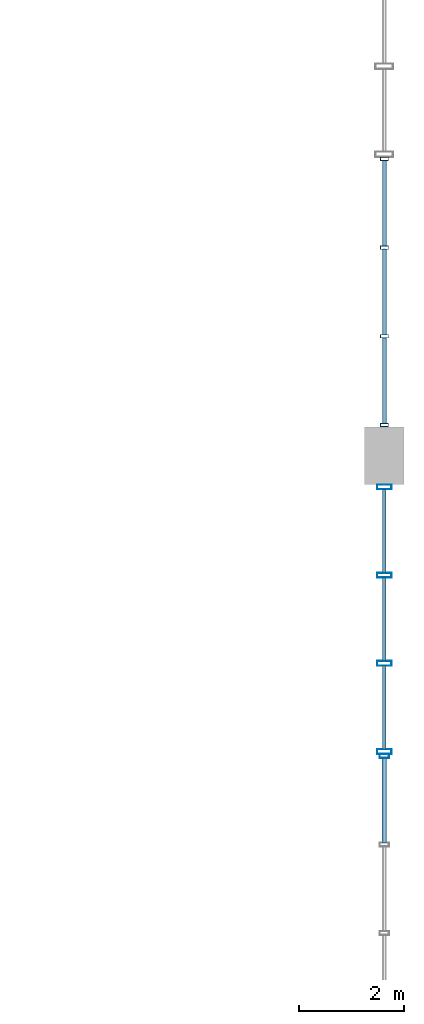
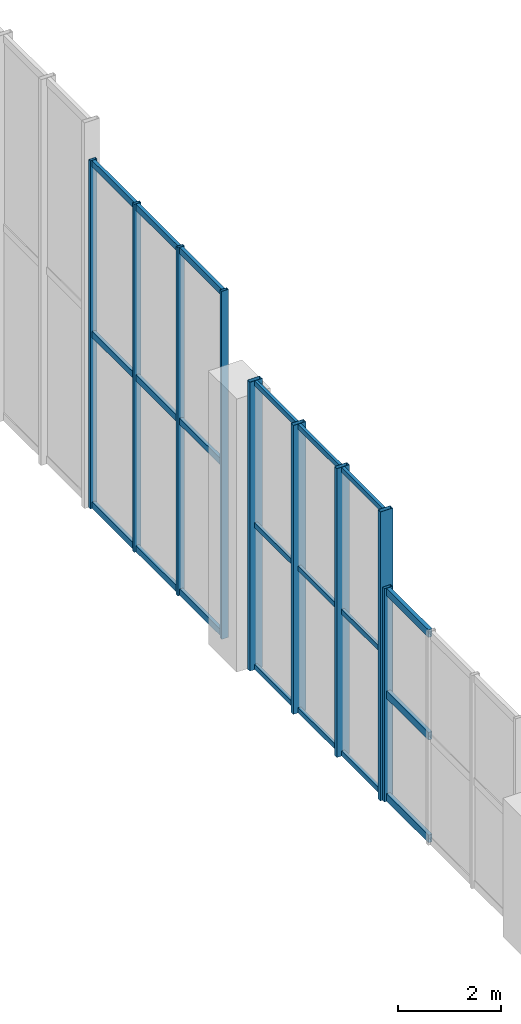
# One storey, part 16 of 28: 30 members, 3 elements without a shape of their own.
"""IFC4 building model written with IfcOpenShell, lengths in metres."""

from ifc_helpers import new_model, si_unit, direction, frame, origin, origin_2d, place, context, subcontext, project, spatial, hollow_rectangle, extrude, material, layer, layer_set, material_profile, profile_set, type_object, element, aggregate, save


model = new_model("IFC4")

# Units and contexts
model_context = context("Model", 3, precision=1e-05, world=origin(), true_north=direction((0.0, 1.0)))
body_context = subcontext(model_context, "Body", "Model", "MODEL_VIEW")
ifc_project = project(units=[si_unit("LENGTHUNIT", "METRE"), si_unit("AREAUNIT", "SQUARE_METRE"), si_unit("VOLUMEUNIT", "CUBIC_METRE"), si_unit("PLANEANGLEUNIT", "RADIAN"), si_unit("MASSUNIT", "GRAM", prefix="KILO"), si_unit("POWERUNIT", "WATT"), si_unit("THERMODYNAMICTEMPERATUREUNIT", "KELVIN")], contexts=[model_context])

# Site, building, storey
site_placement = place(None, origin())
site = spatial("IfcSite", under=ifc_project, at=site_placement, CompositionType="ELEMENT")
building_placement = place(site_placement, origin())
building = spatial("IfcBuilding", under=site, at=building_placement, Name="Kelmbourne Parkland Aquatics Centre", CompositionType="ELEMENT")
storey_placement = place(building_placement, frame((0.0, 0.0, 19.199951171875)))
storey = spatial("IfcBuildingStorey", under=building, at=storey_placement, Name="L04", CompositionType="ELEMENT", Elevation=19.199951171875)

# Curtain wall, members
ifc_material = material(Name="Thermally broken anodised aluminium framing", Category="aluminium")
ifc_layer_1 = layer(ifc_material, 0.179931640625)
ifc_layer_set_1 = layer_set([ifc_layer_1], Name="Thermally broken anodised aluminium framing")
curtain_wall_type_1 = type_object("IfcCurtainWallType", Name="CW-04", PredefinedType="NOTDEFINED", material=ifc_layer_set_1)
curtain_wall_1_placement = place(storey_placement, origin())
curtain_wall_1 = element("IfcCurtainWall", 1, at=curtain_wall_1_placement, inside=storey, type_object=curtain_wall_type_1, Name="Wave-hall clerestory curtain wall CW-L04-100", PredefinedType="NOTDEFINED")
ifc_material_profile_1 = material_profile(ifc_material, hollow_rectangle(XDim=0.06494140625, YDim=0.14990234375, WallThickness=0.00390625, at=origin_2d()), Name="CW-M 65x150")
ifc_profile_set_1 = profile_set([ifc_material_profile_1], Name="Thermally broken anodised aluminium framing")
member_type_1 = type_object("IfcMemberType", Name="MB-MUL-1", PredefinedType="MULLION", material=ifc_profile_set_1)
member_1_placement = place(storey_placement, frame((175.199951171875, 103.984619140625, 0.0), z_axis=(0.0, 0.0, 1.0), x_axis=(0.0, 1.0, 0.0)))
member_1 = element("IfcMember", 2, at=member_1_placement, type_object=member_type_1, Name="CW-L04-100 mullion 0", PredefinedType="MULLION", context=body_context, shape_type="SweptSolid", body=[
    extrude(hollow_rectangle(XDim=0.06494140625, YDim=0.14990234375, WallThickness=0.00390625, at=origin_2d()), origin(), (0.0, 0.0, 1.0), 8.223388671875),
])
member_2_placement = place(storey_placement, frame((175.199951171875, 105.6787109375, 0.0), z_axis=(0.0, 0.0, 1.0), x_axis=(0.0, 1.0, 0.0)))
member_2 = element("IfcMember", 3, at=member_2_placement, type_object=member_type_1, Name="CW-L04-100 mullion 1", PredefinedType="MULLION", context=body_context, shape_type="SweptSolid", body=[
    extrude(hollow_rectangle(XDim=0.06494140625, YDim=0.14990234375, WallThickness=0.00390625, at=origin_2d()), origin(), (0.0, 0.0, 1.0), 8.223388671875),
])
member_3_placement = place(storey_placement, frame((175.199951171875, 107.373291015625, 0.0), z_axis=(0.0, 0.0, 1.0), x_axis=(0.0, 1.0, 0.0)))
member_3 = element("IfcMember", 4, at=member_3_placement, type_object=member_type_1, Name="CW-L04-100 mullion 2", PredefinedType="MULLION", context=body_context, shape_type="SweptSolid", body=[
    extrude(hollow_rectangle(XDim=0.06494140625, YDim=0.14990234375, WallThickness=0.00390625, at=origin_2d()), origin(), (0.0, 0.0, 1.0), 8.223388671875),
])
member_4_placement = place(storey_placement, frame((175.199951171875, 109.0673828125, 0.0), z_axis=(0.0, 0.0, 1.0), x_axis=(0.0, 1.0, 0.0)))
member_4 = element("IfcMember", 5, at=member_4_placement, type_object=member_type_1, Name="CW-L04-100 mullion 3", PredefinedType="MULLION", context=body_context, shape_type="SweptSolid", body=[
    extrude(hollow_rectangle(XDim=0.06494140625, YDim=0.14990234375, WallThickness=0.00390625, at=origin_2d()), origin(), (0.0, 0.0, 1.0), 8.223388671875),
])

# Curtain wall, member
ifc_layer_2 = layer(ifc_material, 0.179931640625)
ifc_layer_set_2 = layer_set([ifc_layer_2], Name="Thermally broken anodised aluminium framing")
curtain_wall_type_2 = type_object("IfcCurtainWallType", Name="CW-14", PredefinedType="NOTDEFINED", material=ifc_layer_set_2)
curtain_wall_2_placement = place(storey_placement, origin())
curtain_wall_2 = element("IfcCurtainWall", 6, at=curtain_wall_2_placement, inside=storey, type_object=curtain_wall_type_2, Name="Wave-hall clerestory curtain wall CW-L04-086", PredefinedType="NOTDEFINED")
ifc_material_profile_2 = material_profile(ifc_material, hollow_rectangle(XDim=0.074951171875, YDim=0.179931640625, WallThickness=0.00439453125, at=origin_2d()), Name="CW-M 75x180")
ifc_profile_set_2 = profile_set([ifc_material_profile_2], Name="Thermally broken anodised aluminium framing")
member_type_2 = type_object("IfcMemberType", Name="MB-MUL-2", PredefinedType="MULLION", material=ifc_profile_set_2)
member_5_placement = place(storey_placement, frame((175.199951171875, 97.66259765625, 0.0), z_axis=(0.0, 0.0, 1.0), x_axis=(0.0, 1.0, 0.0)))
member_5 = element("IfcMember", 7, at=member_5_placement, type_object=member_type_2, Name="CW-L04-086 mullion 3", PredefinedType="MULLION", context=body_context, shape_type="SweptSolid", body=[
    extrude(hollow_rectangle(XDim=0.074951171875, YDim=0.179931640625, WallThickness=0.00439453125, at=origin_2d()), origin(), (0.0, 0.0, 1.0), 5.037109375),
])

# Curtain wall, members
ifc_layer_3 = layer(ifc_material, 0.179931640625)
ifc_layer_set_3 = layer_set([ifc_layer_3], Name="Thermally broken anodised aluminium framing")
curtain_wall_type_3 = type_object("IfcCurtainWallType", Name="CW-21", PredefinedType="NOTDEFINED", material=ifc_layer_set_3)
curtain_wall_3_placement = place(storey_placement, origin())
curtain_wall_3 = element("IfcCurtainWall", 8, at=curtain_wall_3_placement, inside=storey, type_object=curtain_wall_type_3, Name="Wave-hall clerestory curtain wall CW-L04-093", PredefinedType="NOTDEFINED")
ifc_material_profile_3 = material_profile(ifc_material, hollow_rectangle(XDim=0.094970703125, YDim=0.280029296875, WallThickness=0.005615234375, at=origin_2d()), Name="CW-M 95x280")
ifc_profile_set_3 = profile_set([ifc_material_profile_3], Name="Thermally broken anodised aluminium framing")
member_type_3 = type_object("IfcMemberType", Name="MB-MUL-4", PredefinedType="MULLION", material=ifc_profile_set_3)
member_6_placement = place(storey_placement, frame((175.199951171875, 97.74755859375, 0.0), z_axis=(0.0, 0.0, 1.0), x_axis=(0.0, 1.0, 0.0)))
member_6 = element("IfcMember", 9, at=member_6_placement, type_object=member_type_3, Name="CW-L04-093 mullion 0", PredefinedType="MULLION", context=body_context, shape_type="SweptSolid", body=[
    extrude(hollow_rectangle(XDim=0.094970703125, YDim=0.280029296875, WallThickness=0.005615234375, at=origin_2d()), origin(), (0.0, 0.0, 1.0), 6.82421875),
])
member_7_placement = place(storey_placement, frame((175.199951171875, 99.431884765625, 0.0), z_axis=(0.0, 0.0, 1.0), x_axis=(0.0, 1.0, 0.0)))
member_7 = element("IfcMember", 10, at=member_7_placement, type_object=member_type_3, Name="CW-L04-093 mullion 1", PredefinedType="MULLION", context=body_context, shape_type="SweptSolid", body=[
    extrude(hollow_rectangle(XDim=0.094970703125, YDim=0.280029296875, WallThickness=0.005615234375, at=origin_2d()), origin(), (0.0, 0.0, 1.0), 6.82421875),
])
member_8_placement = place(storey_placement, frame((175.199951171875, 101.1162109375, 0.0), z_axis=(0.0, 0.0, 1.0), x_axis=(0.0, 1.0, 0.0)))
member_8 = element("IfcMember", 11, at=member_8_placement, type_object=member_type_3, Name="CW-L04-093 mullion 2", PredefinedType="MULLION", context=body_context, shape_type="SweptSolid", body=[
    extrude(hollow_rectangle(XDim=0.094970703125, YDim=0.280029296875, WallThickness=0.005615234375, at=origin_2d()), origin(), (0.0, 0.0, 1.0), 6.82421875),
])
member_9_placement = place(storey_placement, frame((175.199951171875, 102.800537109375, 0.0), z_axis=(0.0, 0.0, 1.0), x_axis=(0.0, 1.0, 0.0)))
member_9 = element("IfcMember", 12, at=member_9_placement, type_object=member_type_3, Name="CW-L04-093 mullion 3", PredefinedType="MULLION", context=body_context, shape_type="SweptSolid", body=[
    extrude(hollow_rectangle(XDim=0.094970703125, YDim=0.280029296875, WallThickness=0.005615234375, at=origin_2d()), origin(), (0.0, 0.0, 1.0), 6.82421875),
])
ifc_material_profile_4 = material_profile(ifc_material, hollow_rectangle(XDim=0.06494140625, YDim=0.1201171875, WallThickness=0.00341796875, at=origin_2d()), Name="CW-T 65x120")
ifc_profile_set_4 = profile_set([ifc_material_profile_4], Name="Thermally broken anodised aluminium framing")
member_type_4 = type_object("IfcMemberType", Name="MB-TRN-1", PredefinedType="USERDEFINED", material=ifc_profile_set_4)
member_10_placement = place(storey_placement, frame((175.199951171875, 97.791015625, 0.06298828125), z_axis=(0.0, 1.0, 0.0), x_axis=(-1.0, 0.0, 0.0)))
member_10 = element("IfcMember", 13, at=member_10_placement, type_object=member_type_4, Name="CW-L04-093 transom 0-0", ObjectType="TRANSOM", PredefinedType="USERDEFINED", context=body_context, shape_type="SweptSolid", body=[
    extrude(hollow_rectangle(XDim=0.06494140625, YDim=0.1201171875, WallThickness=0.00341796875, at=origin_2d()), origin(), (0.0, 0.0, 1.0), 1.59716796875),
])
member_11_placement = place(storey_placement, frame((175.199951171875, 99.475341796875, 0.06298828125), z_axis=(0.0, 1.0, 0.0), x_axis=(-1.0, 0.0, 0.0)))
member_11 = element("IfcMember", 14, at=member_11_placement, type_object=member_type_4, Name="CW-L04-093 transom 0-1", ObjectType="TRANSOM", PredefinedType="USERDEFINED", context=body_context, shape_type="SweptSolid", body=[
    extrude(hollow_rectangle(XDim=0.06494140625, YDim=0.1201171875, WallThickness=0.00341796875, at=origin_2d()), origin(), (0.0, 0.0, 1.0), 1.597412109375),
])
member_12_placement = place(storey_placement, frame((175.199951171875, 101.15966796875, 0.06298828125), z_axis=(0.0, 1.0, 0.0), x_axis=(-1.0, 0.0, 0.0)))
member_12 = element("IfcMember", 15, at=member_12_placement, type_object=member_type_4, Name="CW-L04-093 transom 0-2", ObjectType="TRANSOM", PredefinedType="USERDEFINED", context=body_context, shape_type="SweptSolid", body=[
    extrude(hollow_rectangle(XDim=0.06494140625, YDim=0.1201171875, WallThickness=0.00341796875, at=origin_2d()), origin(), (0.0, 0.0, 1.0), 1.597412109375),
])
member_13_placement = place(storey_placement, frame((175.199951171875, 97.791015625, 3.412109375), z_axis=(0.0, 1.0, 0.0), x_axis=(-1.0, 0.0, 0.0)))
member_13 = element("IfcMember", 16, at=member_13_placement, type_object=member_type_4, Name="CW-L04-093 transom 1-0", ObjectType="TRANSOM", PredefinedType="USERDEFINED", context=body_context, shape_type="SweptSolid", body=[
    extrude(hollow_rectangle(XDim=0.06494140625, YDim=0.1201171875, WallThickness=0.00341796875, at=origin_2d()), origin(), (0.0, 0.0, 1.0), 1.59716796875),
])
member_14_placement = place(storey_placement, frame((175.199951171875, 99.475341796875, 3.412109375), z_axis=(0.0, 1.0, 0.0), x_axis=(-1.0, 0.0, 0.0)))
member_14 = element("IfcMember", 17, at=member_14_placement, type_object=member_type_4, Name="CW-L04-093 transom 1-1", ObjectType="TRANSOM", PredefinedType="USERDEFINED", context=body_context, shape_type="SweptSolid", body=[
    extrude(hollow_rectangle(XDim=0.06494140625, YDim=0.1201171875, WallThickness=0.00341796875, at=origin_2d()), origin(), (0.0, 0.0, 1.0), 1.597412109375),
])
member_15_placement = place(storey_placement, frame((175.199951171875, 101.15966796875, 3.412109375), z_axis=(0.0, 1.0, 0.0), x_axis=(-1.0, 0.0, 0.0)))
member_15 = element("IfcMember", 18, at=member_15_placement, type_object=member_type_4, Name="CW-L04-093 transom 1-2", ObjectType="TRANSOM", PredefinedType="USERDEFINED", context=body_context, shape_type="SweptSolid", body=[
    extrude(hollow_rectangle(XDim=0.06494140625, YDim=0.1201171875, WallThickness=0.00341796875, at=origin_2d()), origin(), (0.0, 0.0, 1.0), 1.597412109375),
])
member_16_placement = place(storey_placement, frame((175.199951171875, 97.791015625, 6.76123046875), z_axis=(0.0, 1.0, 0.0), x_axis=(-1.0, 0.0, 0.0)))
member_16 = element("IfcMember", 19, at=member_16_placement, type_object=member_type_4, Name="CW-L04-093 transom 2-0", ObjectType="TRANSOM", PredefinedType="USERDEFINED", context=body_context, shape_type="SweptSolid", body=[
    extrude(hollow_rectangle(XDim=0.06494140625, YDim=0.1201171875, WallThickness=0.00341796875, at=origin_2d()), origin(), (0.0, 0.0, 1.0), 1.59716796875),
])
member_17_placement = place(storey_placement, frame((175.199951171875, 99.475341796875, 6.76123046875), z_axis=(0.0, 1.0, 0.0), x_axis=(-1.0, 0.0, 0.0)))
member_17 = element("IfcMember", 20, at=member_17_placement, type_object=member_type_4, Name="CW-L04-093 transom 2-1", ObjectType="TRANSOM", PredefinedType="USERDEFINED", context=body_context, shape_type="SweptSolid", body=[
    extrude(hollow_rectangle(XDim=0.06494140625, YDim=0.1201171875, WallThickness=0.00341796875, at=origin_2d()), origin(), (0.0, 0.0, 1.0), 1.597412109375),
])
member_18_placement = place(storey_placement, frame((175.199951171875, 101.15966796875, 6.76123046875), z_axis=(0.0, 1.0, 0.0), x_axis=(-1.0, 0.0, 0.0)))
member_18 = element("IfcMember", 21, at=member_18_placement, type_object=member_type_4, Name="CW-L04-093 transom 2-2", ObjectType="TRANSOM", PredefinedType="USERDEFINED", context=body_context, shape_type="SweptSolid", body=[
    extrude(hollow_rectangle(XDim=0.06494140625, YDim=0.1201171875, WallThickness=0.00341796875, at=origin_2d()), origin(), (0.0, 0.0, 1.0), 1.597412109375),
])
aggregate(curtain_wall_3, [member_6, member_7, member_8, member_9, member_10, member_11, member_12, member_13, member_14, member_15, member_16, member_17, member_18])

# Member
ifc_material_profile_5 = material_profile(ifc_material, hollow_rectangle(XDim=0.074951171875, YDim=0.14990234375, WallThickness=0.00390625, at=origin_2d()), Name="CW-T 75x150")
ifc_profile_set_5 = profile_set([ifc_material_profile_5], Name="Thermally broken anodised aluminium framing")
member_type_5 = type_object("IfcMemberType", Name="MB-TRN-2", PredefinedType="USERDEFINED", material=ifc_profile_set_5)
member_19_placement = place(storey_placement, frame((175.199951171875, 104.012939453125, 0.078125), z_axis=(0.0, 1.0, 0.0), x_axis=(-1.0, 0.0, 0.0)))
member_19 = element("IfcMember", 22, at=member_19_placement, type_object=member_type_5, Name="CW-L04-100 transom 0-0", ObjectType="TRANSOM", PredefinedType="USERDEFINED", context=body_context, shape_type="SweptSolid", body=[
    extrude(hollow_rectangle(XDim=0.074951171875, YDim=0.14990234375, WallThickness=0.00390625, at=origin_2d()), origin(), (0.0, 0.0, 1.0), 1.637451171875),
])

member_20_placement = place(storey_placement, frame((175.199951171875, 105.707275390625, 0.078125), z_axis=(0.0, 1.0, 0.0), x_axis=(-1.0, 0.0, 0.0)))
member_20 = element("IfcMember", 23, at=member_20_placement, type_object=member_type_5, Name="CW-L04-100 transom 0-1", ObjectType="TRANSOM", PredefinedType="USERDEFINED", context=body_context, shape_type="SweptSolid", body=[
    extrude(hollow_rectangle(XDim=0.074951171875, YDim=0.14990234375, WallThickness=0.00390625, at=origin_2d()), origin(), (0.0, 0.0, 1.0), 1.637451171875),
])

member_21_placement = place(storey_placement, frame((175.199951171875, 107.401611328125, 0.078125), z_axis=(0.0, 1.0, 0.0), x_axis=(-1.0, 0.0, 0.0)))
member_21 = element("IfcMember", 24, at=member_21_placement, type_object=member_type_5, Name="CW-L04-100 transom 0-2", ObjectType="TRANSOM", PredefinedType="USERDEFINED", context=body_context, shape_type="SweptSolid", body=[
    extrude(hollow_rectangle(XDim=0.074951171875, YDim=0.14990234375, WallThickness=0.00390625, at=origin_2d()), origin(), (0.0, 0.0, 1.0), 1.637451171875),
])

member_22_placement = place(storey_placement, frame((175.199951171875, 104.012939453125, 4.11181640625), z_axis=(0.0, 1.0, 0.0), x_axis=(-1.0, 0.0, 0.0)))
member_22 = element("IfcMember", 25, at=member_22_placement, type_object=member_type_5, Name="CW-L04-100 transom 1-0", ObjectType="TRANSOM", PredefinedType="USERDEFINED", context=body_context, shape_type="SweptSolid", body=[
    extrude(hollow_rectangle(XDim=0.074951171875, YDim=0.14990234375, WallThickness=0.00390625, at=origin_2d()), origin(), (0.0, 0.0, 1.0), 1.637451171875),
])

member_23_placement = place(storey_placement, frame((175.199951171875, 105.707275390625, 4.11181640625), z_axis=(0.0, 1.0, 0.0), x_axis=(-1.0, 0.0, 0.0)))
member_23 = element("IfcMember", 26, at=member_23_placement, type_object=member_type_5, Name="CW-L04-100 transom 1-1", ObjectType="TRANSOM", PredefinedType="USERDEFINED", context=body_context, shape_type="SweptSolid", body=[
    extrude(hollow_rectangle(XDim=0.074951171875, YDim=0.14990234375, WallThickness=0.00390625, at=origin_2d()), origin(), (0.0, 0.0, 1.0), 1.637451171875),
])

member_24_placement = place(storey_placement, frame((175.199951171875, 107.401611328125, 4.11181640625), z_axis=(0.0, 1.0, 0.0), x_axis=(-1.0, 0.0, 0.0)))
member_24 = element("IfcMember", 27, at=member_24_placement, type_object=member_type_5, Name="CW-L04-100 transom 1-2", ObjectType="TRANSOM", PredefinedType="USERDEFINED", context=body_context, shape_type="SweptSolid", body=[
    extrude(hollow_rectangle(XDim=0.074951171875, YDim=0.14990234375, WallThickness=0.00390625, at=origin_2d()), origin(), (0.0, 0.0, 1.0), 1.637451171875),
])

member_25_placement = place(storey_placement, frame((175.199951171875, 104.012939453125, 8.1455078125), z_axis=(0.0, 1.0, 0.0), x_axis=(-1.0, 0.0, 0.0)))
member_25 = element("IfcMember", 28, at=member_25_placement, type_object=member_type_5, Name="CW-L04-100 transom 2-0", ObjectType="TRANSOM", PredefinedType="USERDEFINED", context=body_context, shape_type="SweptSolid", body=[
    extrude(hollow_rectangle(XDim=0.074951171875, YDim=0.14990234375, WallThickness=0.00390625, at=origin_2d()), origin(), (0.0, 0.0, 1.0), 1.637451171875),
])

member_26_placement = place(storey_placement, frame((175.199951171875, 105.707275390625, 8.1455078125), z_axis=(0.0, 1.0, 0.0), x_axis=(-1.0, 0.0, 0.0)))
member_26 = element("IfcMember", 29, at=member_26_placement, type_object=member_type_5, Name="CW-L04-100 transom 2-1", ObjectType="TRANSOM", PredefinedType="USERDEFINED", context=body_context, shape_type="SweptSolid", body=[
    extrude(hollow_rectangle(XDim=0.074951171875, YDim=0.14990234375, WallThickness=0.00390625, at=origin_2d()), origin(), (0.0, 0.0, 1.0), 1.637451171875),
])

member_27_placement = place(storey_placement, frame((175.199951171875, 107.401611328125, 8.1455078125), z_axis=(0.0, 1.0, 0.0), x_axis=(-1.0, 0.0, 0.0)))
member_27 = element("IfcMember", 30, at=member_27_placement, type_object=member_type_5, Name="CW-L04-100 transom 2-2", ObjectType="TRANSOM", PredefinedType="USERDEFINED", context=body_context, shape_type="SweptSolid", body=[
    extrude(hollow_rectangle(XDim=0.074951171875, YDim=0.14990234375, WallThickness=0.00390625, at=origin_2d()), origin(), (0.0, 0.0, 1.0), 1.637451171875),
])

aggregate(curtain_wall_1, [member_1, member_2, member_3, member_4, member_19, member_20, member_21, member_22, member_23, member_24, member_25, member_26, member_27])

ifc_material_profile_6 = material_profile(ifc_material, hollow_rectangle(XDim=0.0849609375, YDim=0.179931640625, WallThickness=0.00439453125, at=origin_2d()), Name="CW-T 85x180")
ifc_profile_set_6 = profile_set([ifc_material_profile_6], Name="Thermally broken anodised aluminium framing")
member_type_6 = type_object("IfcMemberType", Name="MB-TRN-3", PredefinedType="USERDEFINED", material=ifc_profile_set_6)
member_28_placement = place(storey_placement, frame((175.199951171875, 96.0048828125, 0.093017578125), z_axis=(0.0, 1.0, 0.0), x_axis=(-1.0, 0.0, 0.0)))
member_28 = element("IfcMember", 31, at=member_28_placement, type_object=member_type_6, Name="CW-L04-086 transom 0-2", ObjectType="TRANSOM", PredefinedType="USERDEFINED", context=body_context, shape_type="SweptSolid", body=[
    extrude(hollow_rectangle(XDim=0.0849609375, YDim=0.179931640625, WallThickness=0.00439453125, at=origin_2d()), origin(), (0.0, 0.0, 1.0), 1.6240234375),
])

member_29_placement = place(storey_placement, frame((175.199951171875, 96.0048828125, 2.5185546875), z_axis=(0.0, 1.0, 0.0), x_axis=(-1.0, 0.0, 0.0)))
member_29 = element("IfcMember", 32, at=member_29_placement, type_object=member_type_6, Name="CW-L04-086 transom 1-2", ObjectType="TRANSOM", PredefinedType="USERDEFINED", context=body_context, shape_type="SweptSolid", body=[
    extrude(hollow_rectangle(XDim=0.0849609375, YDim=0.179931640625, WallThickness=0.00439453125, at=origin_2d()), origin(), (0.0, 0.0, 1.0), 1.6240234375),
])

member_30_placement = place(storey_placement, frame((175.199951171875, 96.0048828125, 4.944091796875), z_axis=(0.0, 1.0, 0.0), x_axis=(-1.0, 0.0, 0.0)))
member_30 = element("IfcMember", 33, at=member_30_placement, type_object=member_type_6, Name="CW-L04-086 transom 2-2", ObjectType="TRANSOM", PredefinedType="USERDEFINED", context=body_context, shape_type="SweptSolid", body=[
    extrude(hollow_rectangle(XDim=0.0849609375, YDim=0.179931640625, WallThickness=0.00439453125, at=origin_2d()), origin(), (0.0, 0.0, 1.0), 1.6240234375),
])

aggregate(curtain_wall_2, [member_5, member_28, member_29, member_30])

save(model, "model.ifc")
